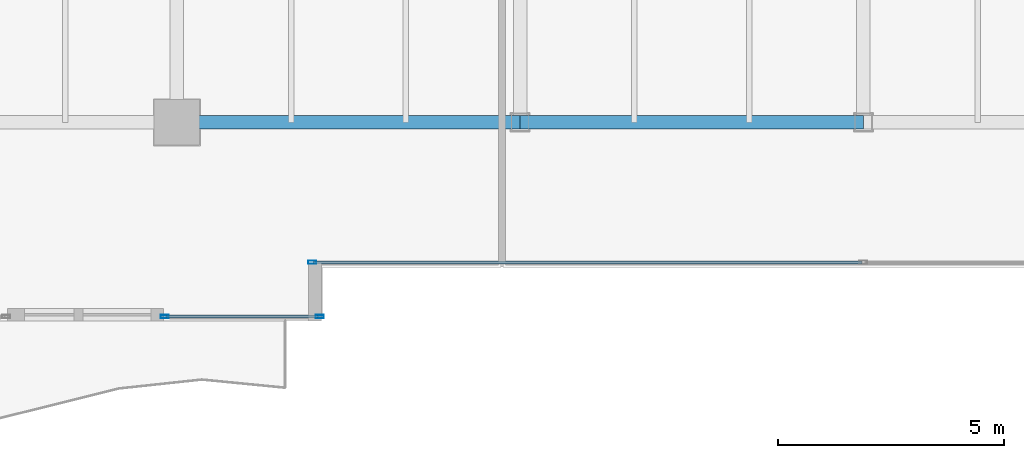
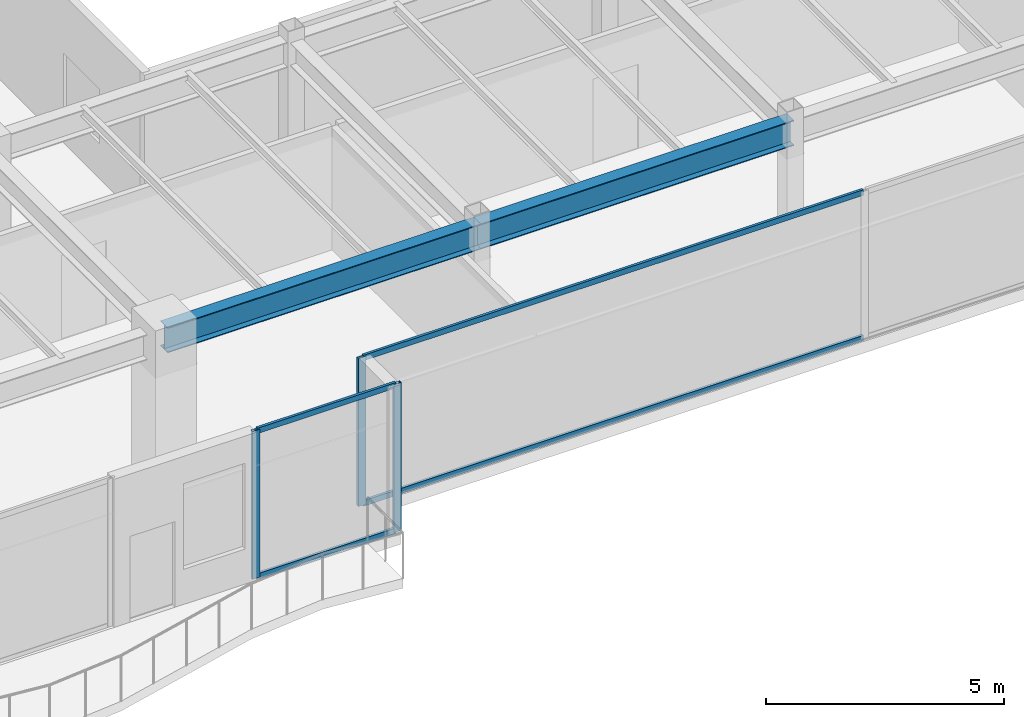
# One storey, part 6 of 35: 7 members, 2 beams, 2 elements without a shape of their own.
"""IFC4 building model written with IfcOpenShell, lengths in metres."""

from ifc_helpers import new_model, si_unit, direction, frame, origin, origin_2d, place, context, subcontext, project, spatial, hollow_rectangle, i_section, extrude, source, transform, mapped, material, layer, layer_set, material_profile, profile_set, type_object, type_shapes, element, aggregate, save


model = new_model("IFC4")

# Units and contexts
model_context = context("Model", 3, precision=1e-05, world=origin(), true_north=direction((0.0, 1.0)))
body_context = subcontext(model_context, "Body", "Model", "MODEL_VIEW")
ifc_project = project(units=[si_unit("LENGTHUNIT", "METRE"), si_unit("AREAUNIT", "SQUARE_METRE"), si_unit("VOLUMEUNIT", "CUBIC_METRE"), si_unit("PLANEANGLEUNIT", "RADIAN"), si_unit("MASSUNIT", "GRAM", prefix="KILO")], contexts=[model_context])

# Site, building, storey
site_placement = place(None, origin())
site = spatial("IfcSite", under=ifc_project, at=site_placement, CompositionType="ELEMENT")
building_placement = place(site_placement, origin())
building = spatial("IfcBuilding", under=site, at=building_placement, Name="Haelvirn Gate Laboratories", CompositionType="ELEMENT")
storey_placement = place(building_placement, frame((0.0, 0.0, 283.39990234375)))
storey = spatial("IfcBuildingStorey", under=building, at=storey_placement, Name="L68", CompositionType="ELEMENT", Elevation=283.39990234375)

# Beams
ifc_material_1 = material(Name="Steel SM355", Category="steel")
ifc_material_profile_1 = material_profile(ifc_material_1, i_section(OverallWidth=0.300048828125, OverallDepth=0.64990234375, WebThickness=0.012939453125, FlangeThickness=0.02197265625, at=origin_2d()), Name="H-650x300x13x22")
ifc_profile_set_1 = profile_set([ifc_material_profile_1], Name="Steel SM355")
beam_type = type_object("IfcBeamType", Name="BM-G-650", PredefinedType="BEAM", material=ifc_profile_set_1)
shared_shape_1 = source(origin(), body_context, "Body", "SweptSolid", [
    extrude(i_section(OverallWidth=0.300048828125, OverallDepth=0.64990234375, WebThickness=0.012939453125, FlangeThickness=0.02197265625, at=origin_2d()), origin(), (0.0, 0.0, 1.0), 7.60009765625),
])
beam_1_placement = place(storey_placement, frame((22.199951171875, 7.0, 3.47509765625), z_axis=(1.0, 0.0, 0.0), x_axis=(0.0, 1.0, 0.0)))
element("IfcBeam", 1, at=beam_1_placement, inside=storey, type_object=beam_type, Name="L68 Primary Girder Y7.0 (22.2-29.8)", PredefinedType="BEAM", context=body_context, shape_type="MappedRepresentation", body=[
    mapped(shared_shape_1, transform((0.0, 0.0, 0.0), scale=1.0)),
])
shared_shape_2 = source(origin(), body_context, "Body", "SweptSolid", [
    extrude(i_section(OverallWidth=0.300048828125, OverallDepth=0.64990234375, WebThickness=0.012939453125, FlangeThickness=0.02197265625, at=origin_2d()), origin(), (0.0, 0.0, 1.0), 7.599853515625),
])
type_shapes(beam_type, [shared_shape_1, shared_shape_2])
beam_2_placement = place(storey_placement, frame((29.800048828125, 7.0, 3.47509765625), z_axis=(1.0, 0.0, 0.0), x_axis=(0.0, 1.0, 0.0)))
element("IfcBeam", 2, at=beam_2_placement, inside=storey, type_object=beam_type, Name="L68 Primary Girder Y7.0 (29.8-37.4)", PredefinedType="BEAM", context=body_context, shape_type="MappedRepresentation", body=[
    mapped(shared_shape_2, transform((0.0, 0.0, 0.0), scale=1.0)),
])

# Curtain wall, members
ifc_material_2 = material(Name="Anodised bronze unitised aluminium & triple low-E glass", Category="aluminium")
ifc_layer = layer(ifc_material_2, 0.176025390625, Name="CW-SYS-4")
ifc_layer_set = layer_set([ifc_layer], Name="Anodised bronze unitised aluminium & triple low-E glass")
curtain_wall_type = type_object("IfcCurtainWallType", Name="CW-SYS-4", PredefinedType="NOTDEFINED", material=ifc_layer_set)
curtain_wall_1_placement = place(storey_placement, origin())
curtain_wall_1 = element("IfcCurtainWall", 3, at=curtain_wall_1_placement, inside=storey, type_object=curtain_wall_type, Name="L68 Unitised Curtain Wall CW-L68-P0-E02-1", PredefinedType="NOTDEFINED")
ifc_material_3 = material(Name="Extruded aluminium 6063-T6 (anodised bronze)", Category="aluminium")
ifc_material_profile_2 = material_profile(ifc_material_3, hollow_rectangle(XDim=0.06494140625, YDim=0.139892578125, WallThickness=0.00390625, at=origin_2d()), Name="CWT-140x65x4")
ifc_profile_set_2 = profile_set([ifc_material_profile_2], Name="Extruded aluminium 6063-T6 (anodised bronze)")
member_type_1 = type_object("IfcMemberType", Name="CWT-T140", PredefinedType="USERDEFINED", material=ifc_profile_set_2)
shared_shape_3 = source(origin(), body_context, "Body", "SweptSolid", [
    extrude(hollow_rectangle(XDim=0.06494140625, YDim=0.139892578125, WallThickness=0.00390625, at=origin_2d()), origin(), (0.0, 0.0, 1.0), 12.135009765625),
])
member_1_placement = place(storey_placement, frame((25.22998046875, 3.89990234375, 0.03271484375), z_axis=(1.0, 0.0, 0.0), x_axis=(0.0, 1.0, 0.0)))
member_1 = element("IfcMember", 4, at=member_1_placement, type_object=member_type_1, Name="CW4 transom 1.1", ObjectType="TRANSOM", PredefinedType="USERDEFINED", context=body_context, shape_type="MappedRepresentation", body=[
    mapped(shared_shape_3, transform((0.0, 0.0, 0.0), scale=1.0)),
])
member_2_placement = place(storey_placement, frame((25.22998046875, 3.89990234375, 3.767578125), z_axis=(1.0, 0.0, 0.0), x_axis=(0.0, 1.0, 0.0)))
member_2 = element("IfcMember", 5, at=member_2_placement, type_object=member_type_1, Name="CW4 transom 1.2", ObjectType="TRANSOM", PredefinedType="USERDEFINED", context=body_context, shape_type="MappedRepresentation", body=[
    mapped(shared_shape_3, transform((0.0, 0.0, 0.0), scale=1.0)),
])

curtain_wall_2_placement = place(storey_placement, origin())
curtain_wall_2 = element("IfcCurtainWall", 6, at=curtain_wall_2_placement, inside=storey, type_object=curtain_wall_type, Name="L68 Unitised Curtain Wall CW-L68-P0-E00-2", PredefinedType="NOTDEFINED")
ifc_material_profile_3 = material_profile(ifc_material_3, hollow_rectangle(XDim=0.070068359375, YDim=0.179931640625, WallThickness=0.0048828125, at=origin_2d()), Name="CWM-180x70x5")
ifc_profile_set_3 = profile_set([ifc_material_profile_3], Name="Extruded aluminium 6063-T6 (anodised bronze)")
member_type_2 = type_object("IfcMemberType", Name="CWM-T180", PredefinedType="MULLION", material=ifc_profile_set_3)
shared_shape_4 = source(origin(), body_context, "Body", "SweptSolid", [
    extrude(hollow_rectangle(XDim=0.070068359375, YDim=0.179931640625, WallThickness=0.0048828125, at=origin_2d()), origin(), (0.0, 0.0, 1.0), 3.800048828125),
])
type_shapes(member_type_2, [shared_shape_4])
member_3_placement = place(storey_placement, frame((21.929931640625, 2.699951171875, 0.0), z_axis=(0.0, 0.0, 1.0), x_axis=(0.0, 1.0, 0.0)))
member_3 = element("IfcMember", 7, at=member_3_placement, type_object=member_type_2, Name="CW4 mullion 1", PredefinedType="MULLION", context=body_context, shape_type="MappedRepresentation", body=[
    mapped(shared_shape_4, transform((0.0, 0.0, 0.0), scale=1.0)),
])
member_4_placement = place(storey_placement, frame((25.364990234375, 2.699951171875, 0.0), z_axis=(0.0, 0.0, 1.0), x_axis=(0.0, 1.0, 0.0)))
member_4 = element("IfcMember", 8, at=member_4_placement, type_object=member_type_2, Name="CW4 mullion 2", PredefinedType="MULLION", context=body_context, shape_type="MappedRepresentation", body=[
    mapped(shared_shape_4, transform((0.0, 0.0, 0.0), scale=1.0)),
])

# Member
member_5_placement = place(storey_placement, frame((25.195068359375, 3.89990234375, 0.0), z_axis=(0.0, 0.0, 1.0), x_axis=(0.0, 1.0, 0.0)))
member_5 = element("IfcMember", 9, at=member_5_placement, type_object=member_type_2, Name="CW4 mullion 1", PredefinedType="MULLION", context=body_context, shape_type="MappedRepresentation", body=[
    mapped(shared_shape_4, transform((0.0, 0.0, 0.0), scale=1.0)),
])

aggregate(curtain_wall_1, [member_5, member_1, member_2])

shared_shape_5 = source(origin(), body_context, "Body", "SweptSolid", [
    extrude(hollow_rectangle(XDim=0.06494140625, YDim=0.139892578125, WallThickness=0.00390625, at=origin_2d()), origin(), (0.0, 0.0, 1.0), 3.364990234375),
])
type_shapes(member_type_1, [shared_shape_3, shared_shape_5])
member_6_placement = place(storey_placement, frame((21.965087890625, 2.699951171875, 0.03271484375), z_axis=(1.0, 0.0, 0.0), x_axis=(0.0, 1.0, 0.0)))
member_6 = element("IfcMember", 10, at=member_6_placement, type_object=member_type_1, Name="CW4 transom 1.1", ObjectType="TRANSOM", PredefinedType="USERDEFINED", context=body_context, shape_type="MappedRepresentation", body=[
    mapped(shared_shape_5, transform((0.0, 0.0, 0.0), scale=1.0)),
])

member_7_placement = place(storey_placement, frame((21.965087890625, 2.699951171875, 3.767578125), z_axis=(1.0, 0.0, 0.0), x_axis=(0.0, 1.0, 0.0)))
member_7 = element("IfcMember", 11, at=member_7_placement, type_object=member_type_1, Name="CW4 transom 1.2", ObjectType="TRANSOM", PredefinedType="USERDEFINED", context=body_context, shape_type="MappedRepresentation", body=[
    mapped(shared_shape_5, transform((0.0, 0.0, 0.0), scale=1.0)),
])

aggregate(curtain_wall_2, [member_3, member_4, member_6, member_7])

save(model, "model.ifc")
